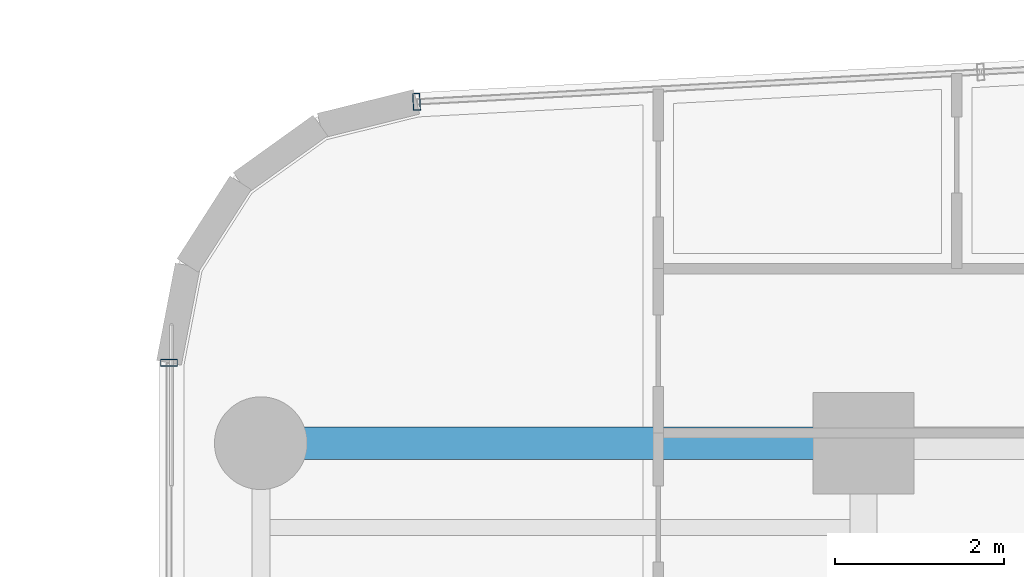
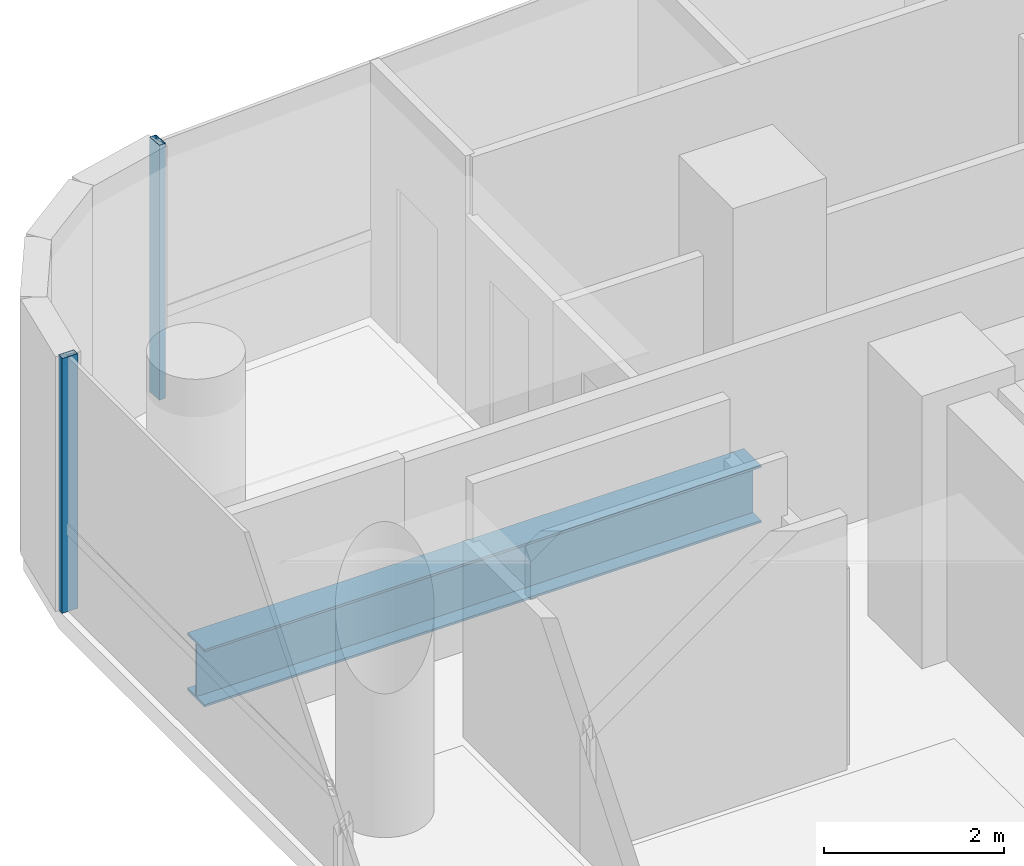
# One storey, part 19 of 34: 2 members, 1 beam, 2 elements without a shape of their own.
"""IFC4 building model written with IfcOpenShell, lengths in metres."""

from ifc_helpers import new_model, si_unit, direction, frame, origin, origin_2d, place, context, subcontext, project, spatial, hollow_rectangle, i_section, extrude, source, transform, mapped, material, material_profile, profile_set, type_object, element, aggregate, save


model = new_model("IFC4")

# Units and contexts
model_context = context("Model", 3, precision=1e-05, world=origin(), true_north=direction((0.0, 1.0)))
body_context = subcontext(model_context, "Body", "Model", "MODEL_VIEW")
ifc_project = project(units=[si_unit("LENGTHUNIT", "METRE"), si_unit("AREAUNIT", "SQUARE_METRE"), si_unit("VOLUMEUNIT", "CUBIC_METRE"), si_unit("PLANEANGLEUNIT", "RADIAN"), si_unit("MASSUNIT", "GRAM", prefix="KILO")], contexts=[model_context])

# Site, building, storey
site_placement = place(None, origin())
site = spatial("IfcSite", under=ifc_project, at=site_placement, CompositionType="ELEMENT")
building_placement = place(site_placement, origin())
building = spatial("IfcBuilding", under=site, at=building_placement, Name="Valdorenza Pilgrim Sanctuary Tower", CompositionType="ELEMENT")
storey_placement = place(building_placement, frame((0.0, 0.0, 164.89990234375)))
storey = spatial("IfcBuildingStorey", under=building, at=storey_placement, Name="L42", CompositionType="ELEMENT", Elevation=164.89990234375)

# Beam
ifc_material_1 = material(Name="Steel ASTM A992 Grade 50", Category="steel")
ifc_material_profile_1 = material_profile(ifc_material_1, i_section(OverallWidth=0.382080078125, OverallDepth=0.779052734375, WebThickness=0.01806640625, FlangeThickness=0.030029296875, at=origin_2d()), Name="W30X191")
ifc_profile_set_1 = profile_set([ifc_material_profile_1], Name="Steel ASTM A992 Grade 50")
beam_type = type_object("IfcBeamType", Name="STR-BM-GRD-W30", PredefinedType="BEAM", material=ifc_profile_set_1)
shared_shape_1 = source(origin(), body_context, "Body", "SweptSolid", [
    extrude(i_section(OverallWidth=0.382080078125, OverallDepth=0.779052734375, WebThickness=0.01806640625, FlangeThickness=0.030029296875, at=origin_2d()), origin(), (0.0, 0.0, 1.0), 7.150146484375),
])
beam_placement = place(storey_placement, frame((-29.800048828125, 14.800048828125, -0.62939453125), z_axis=(1.0, 0.0, 0.0), x_axis=(0.0, 1.0, 0.0)))
element("IfcBeam", 1, at=beam_placement, inside=storey, type_object=beam_type, Name="L42 Floor Girder WA-XW-N2", PredefinedType="BEAM", context=body_context, shape_type="MappedRepresentation", body=[
    mapped(shared_shape_1, transform((0.0, 0.0, 0.0), x_axis=(1.0, 0.0, 0.0), y_axis=(0.0, 1.0, 0.0), z_axis=(0.0, 0.0, 1.0), scale=1.0)),
])

# Curtain wall, member
ifc_material_2 = material(Name="Curtain-wall IGU glazing", Category="glass")
curtain_wall_type = type_object("IfcCurtainWallType", Name="CW-SYS-02", PredefinedType="NOTDEFINED", material=ifc_material_2)
curtain_wall_1_placement = place(storey_placement, origin())
curtain_wall_1 = element("IfcCurtainWall", 2, at=curtain_wall_1_placement, inside=storey, type_object=curtain_wall_type, Name="L42 Curtain Wall CW-L42-1-1S2", PredefinedType="NOTDEFINED")
ifc_material_3 = material(Name="Anodised aluminium AW-6060", Category="aluminium")
ifc_material_profile_2 = material_profile(ifc_material_3, hollow_rectangle(XDim=0.0849609375, YDim=0.199951171875, WallThickness=0.0048828125, at=origin_2d()), Name="ALU-M 200x85x5")
ifc_profile_set_2 = profile_set([ifc_material_profile_2], Name="Anodised aluminium AW-6060")
member_type = type_object("IfcMemberType", Name="CW-MUL-02", PredefinedType="MULLION", material=ifc_profile_set_2)
shared_shape_2 = source(origin(), body_context, "Body", "SweptSolid", [
    extrude(hollow_rectangle(XDim=0.0849609375, YDim=0.199951171875, WallThickness=0.0048828125, at=origin_2d()), origin(), (0.0, 0.0, 1.0), 3.460205078125),
])
member_1_placement = place(storey_placement, frame((-30.889892578125, 15.754150390625, 0.0), z_axis=(0.0, 0.0, 1.0), x_axis=(0.0, 1.0, 0.0)))
member_1 = element("IfcMember", 3, at=member_1_placement, type_object=member_type, Name="CW-L42-1-1S2 Mullion 4", PredefinedType="MULLION", context=body_context, shape_type="MappedRepresentation", body=[
    mapped(shared_shape_2, transform((0.0, 0.0, 0.0), x_axis=(1.0, 0.0, 0.0), y_axis=(0.0, 1.0, 0.0), z_axis=(0.0, 0.0, 1.0), scale=1.0)),
])
aggregate(curtain_wall_1, [member_1])

curtain_wall_2_placement = place(storey_placement, origin())
curtain_wall_2 = element("IfcCurtainWall", 4, at=curtain_wall_2_placement, inside=storey, type_object=curtain_wall_type, Name="L42 Curtain Wall CW-L42-1-6", PredefinedType="NOTDEFINED")
member_2_placement = place(storey_placement, frame((-27.952392578125, 18.850830078125, 0.0), z_axis=(0.0, 0.0, 1.0), x_axis=(0.998607524712, 0.052754256601, 0.0)))
member_2 = element("IfcMember", 5, at=member_2_placement, type_object=member_type, Name="CW-L42-1-6 Mullion 1", PredefinedType="MULLION", context=body_context, shape_type="MappedRepresentation", body=[
    mapped(shared_shape_2, transform((0.0, 0.0, 0.0), x_axis=(1.0, 0.0, 0.0), y_axis=(0.0, 1.0, 0.0), z_axis=(0.0, 0.0, 1.0), scale=1.0)),
])
aggregate(curtain_wall_2, [member_2])

save(model, "model.ifc")
